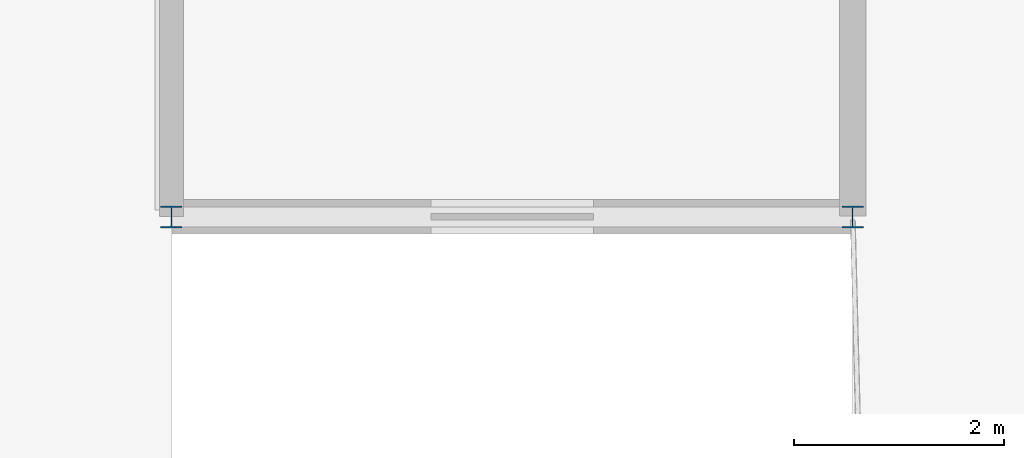
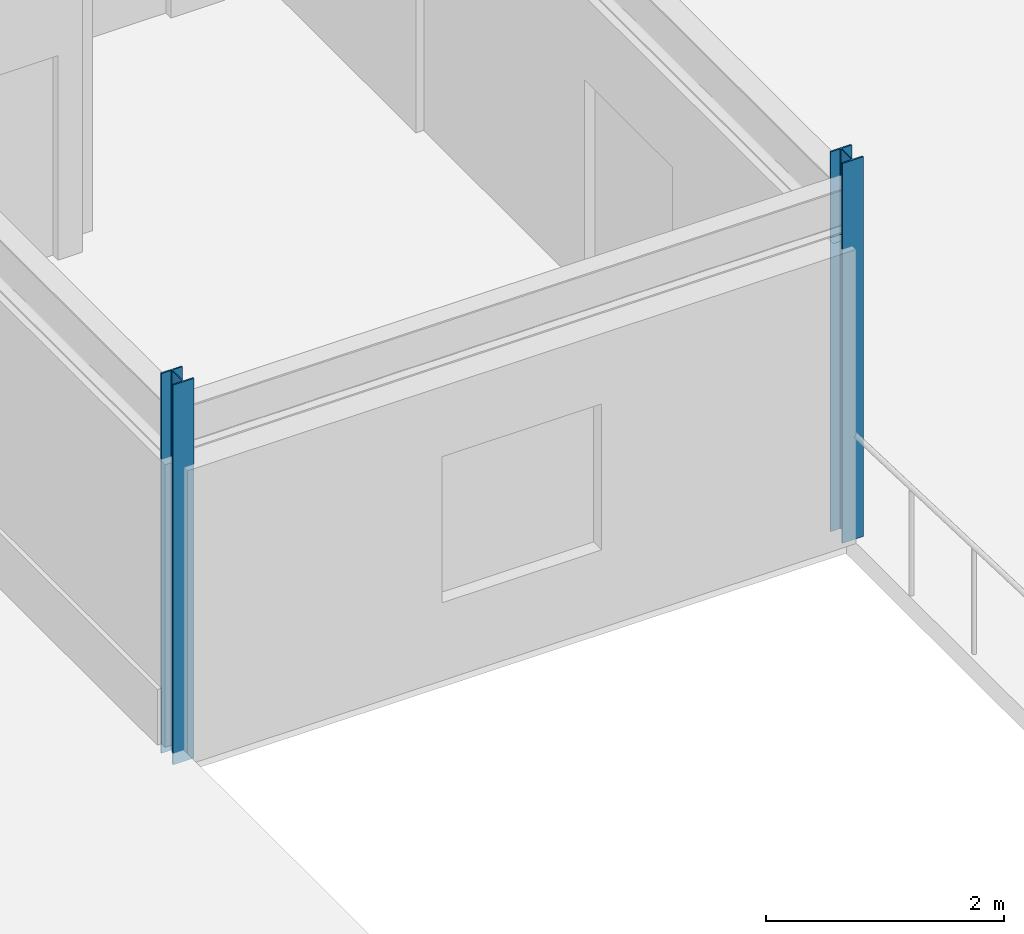
# One storey, part 3 of 26: 2 columns.
"""IFC4 building model written with IfcOpenShell, lengths in metres."""

from ifc_helpers import new_model, si_unit, direction, frame, origin, origin_2d, place, context, subcontext, project, spatial, i_section, extrude, material, material_profile, profile_set, type_object, element, save


model = new_model("IFC4")

# Units and contexts
model_context = context("Model", 3, precision=1e-05, world=origin(), true_north=direction((0.0, 1.0)))
body_context = subcontext(model_context, "Body", "Model", "MODEL_VIEW")
ifc_project = project(units=[si_unit("LENGTHUNIT", "METRE"), si_unit("AREAUNIT", "SQUARE_METRE"), si_unit("VOLUMEUNIT", "CUBIC_METRE"), si_unit("PLANEANGLEUNIT", "RADIAN"), si_unit("MASSUNIT", "GRAM", prefix="KILO")], contexts=[model_context])

# Site, building, storey
site_placement = place(None, origin())
site = spatial("IfcSite", under=ifc_project, at=site_placement, CompositionType="ELEMENT")
building_placement = place(site_placement, origin())
building = spatial("IfcBuilding", under=site, at=building_placement, Name="Trelmorton Wharf Fire Station", CompositionType="ELEMENT")
storey_placement = place(building_placement, frame((0.0, 0.0, 17.39990234375)))
storey = spatial("IfcBuildingStorey", under=building, at=storey_placement, Name="L04", CompositionType="ELEMENT", Elevation=17.39990234375)

# Columns
ifc_material = material(Name="Steel Grade 350", Category="steel")
ifc_material_profile = material_profile(ifc_material, i_section(OverallWidth=0.205078125, OverallDepth=0.2099609375, WebThickness=0.00927734375, FlangeThickness=0.01416015625, FilletRadius=0.011474609375, at=origin_2d()), Name="200UC59.5")
ifc_profile_set = profile_set([ifc_material_profile], Name="Steel Grade 350")
column_type = type_object("IfcColumnType", Name="COL_200UC60", PredefinedType="COLUMN", material=ifc_profile_set)
for number, where, z_axis, x_axis, name in (
    (1, (110.5, 67.199951171875, 0.0), (0.0, 0.0, 1.0), (1.0, 0.0, 0.0), "COL-L04-0716"),
    (2, (117.0, 67.199951171875, 0.0), (0.0, 0.0, 1.0), (1.0, 0.0, 0.0), "COL-L04-0723"),
):
    element("IfcColumn", number, at=place(storey_placement, frame(where, z_axis=z_axis, x_axis=x_axis)), inside=storey, type_object=column_type, Name=name, PredefinedType="COLUMN", context=body_context, shape_type="SweptSolid", body=[
        extrude(i_section(OverallWidth=0.205078125, OverallDepth=0.2099609375, WebThickness=0.00927734375, FlangeThickness=0.01416015625, FilletRadius=0.011474609375, at=origin_2d()), origin(), (0.0, 0.0, 1.0), 3.900146484375),
    ])

save(model, "model.ifc")
